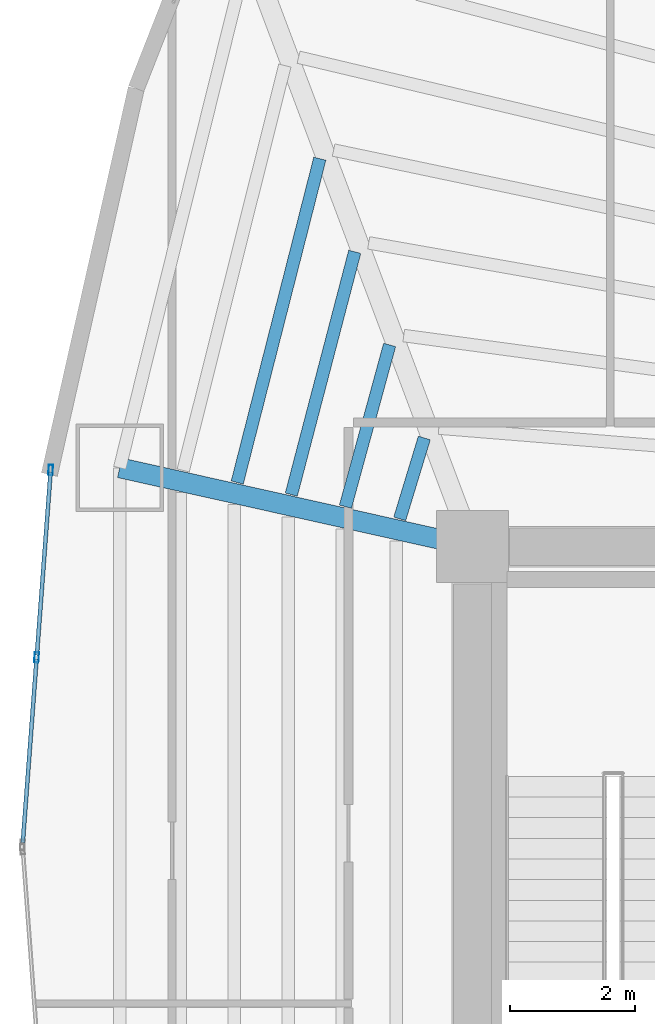
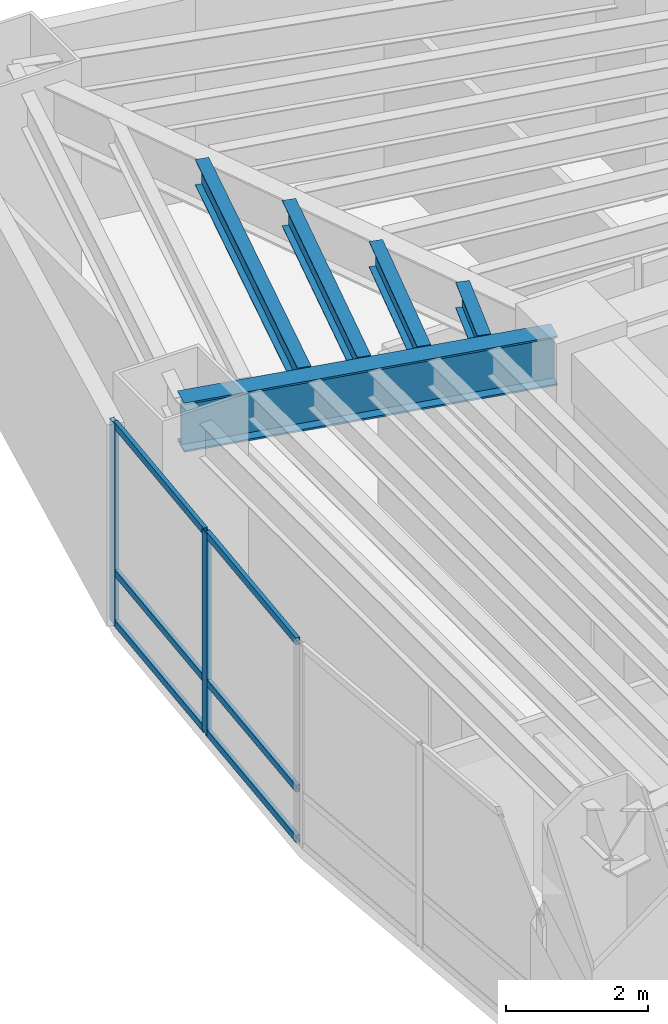
# One storey, part 7 of 17: 8 members, 5 beams, 1 element without a shape of its own.
"""IFC4 building model written with IfcOpenShell, lengths in metres."""

from ifc_helpers import new_model, si_unit, direction, frame, origin, origin_2d, place, context, subcontext, project, spatial, hollow_rectangle, i_section, extrude, material, layer, layer_set, material_profile, profile_set, type_object, element, aggregate, save


model = new_model("IFC4")

# Units and contexts
model_context = context("Model", 3, precision=1e-05, world=origin(), true_north=direction((0.0, 1.0)))
body_context = subcontext(model_context, "Body", "Model", "MODEL_VIEW")
ifc_project = project(units=[si_unit("LENGTHUNIT", "METRE"), si_unit("AREAUNIT", "SQUARE_METRE"), si_unit("VOLUMEUNIT", "CUBIC_METRE"), si_unit("PLANEANGLEUNIT", "RADIAN"), si_unit("MASSUNIT", "GRAM", prefix="KILO")], contexts=[model_context])

# Site, building, storey
site_placement = place(None, origin())
site = spatial("IfcSite", under=ifc_project, at=site_placement, CompositionType="ELEMENT")
building_placement = place(site_placement, origin())
building = spatial("IfcBuilding", under=site, at=building_placement, Name="Menara Vayukalpa", CompositionType="ELEMENT")
storey_placement = place(building_placement, frame((0.0, 0.0, 46.199951171875)))
storey = spatial("IfcBuildingStorey", under=building, at=storey_placement, Name="L10", CompositionType="ELEMENT", Elevation=46.199951171875)

# Beams
ifc_material_1 = material(Name="Steel S355", Category="steel")
ifc_material_profile_1 = material_profile(ifc_material_1, i_section(OverallWidth=0.320068359375, OverallDepth=0.85009765625, WebThickness=0.01611328125, FlangeThickness=0.030029296875, at=origin_2d()), Name="WF 850x320x16x30")
ifc_profile_set_1 = profile_set([ifc_material_profile_1], Name="Steel S355")
beam_type_1 = type_object("IfcBeamType", Name="BM-PG2", PredefinedType="BEAM", material=ifc_profile_set_1)
beam_1_placement = place(storey_placement, frame((17.555908203125, 26.8544921875, 3.045166015625), z_axis=(-0.975920137818, 0.218128138031, 0.0), x_axis=(-0.218128138031, -0.975920137818, 0.0)))
element("IfcBeam", 1, at=beam_1_placement, inside=storey, type_object=beam_type_1, Name="L10 Primary Radial Girder RG05", PredefinedType="BEAM", context=body_context, shape_type="SweptSolid", body=[
    extrude(i_section(OverallWidth=0.320068359375, OverallDepth=0.85009765625, WebThickness=0.01611328125, FlangeThickness=0.030029296875, at=origin_2d()), origin(), (0.0, 0.0, 1.0), 5.524658203125),
])
ifc_material_2 = material(Name="Steel S355", Category="steel")
ifc_material_profile_2 = material_profile(ifc_material_2, i_section(OverallWidth=0.199951171875, OverallDepth=0.449951171875, WebThickness=0.009033203125, FlangeThickness=0.013916015625, at=origin_2d()), Name="WF 450x200x9x14")
ifc_profile_set_2 = profile_set([ifc_material_profile_2], Name="Steel S355")
beam_type_2 = type_object("IfcBeamType", Name="BM-SJ1", PredefinedType="JOIST", material=ifc_profile_set_2)
beam_2_placement = place(storey_placement, frame((17.03076171875, 28.535888671875, 3.2451171875), z_axis=(-0.291010568606, -0.956719838281, 0.0), x_axis=(0.956719838281, -0.291010568606, 0.0)))
element("IfcBeam", 2, at=beam_2_placement, inside=storey, type_object=beam_type_2, Name="L10 Secondary Floor Joist SJ04-1", PredefinedType="JOIST", context=body_context, shape_type="SweptSolid", body=[
    extrude(i_section(OverallWidth=0.199951171875, OverallDepth=0.449951171875, WebThickness=0.009033203125, FlangeThickness=0.013916015625, at=origin_2d()), origin(), (0.0, 0.0, 1.0), 1.3505859375),
])
beam_3_placement = place(storey_placement, frame((16.4765625, 30.0224609375, 3.2451171875), z_axis=(-0.263618546233, -0.964627006714, 0.0), x_axis=(0.964627006714, -0.263618546233, 0.0)))
element("IfcBeam", 3, at=beam_3_placement, inside=storey, type_object=beam_type_2, Name="L10 Secondary Floor Joist SJ04-2", PredefinedType="JOIST", context=body_context, shape_type="SweptSolid", body=[
    extrude(i_section(OverallWidth=0.199951171875, OverallDepth=0.449951171875, WebThickness=0.009033203125, FlangeThickness=0.013916015625, at=origin_2d()), origin(), (0.0, 0.0, 1.0), 2.67919921875),
])
beam_4_placement = place(storey_placement, frame((15.919189453125, 31.510009765625, 3.2451171875), z_axis=(-0.25283833468, -0.967508540798, 0.0), x_axis=(0.967508540798, -0.25283833468, 0.0)))
element("IfcBeam", 4, at=beam_4_placement, inside=storey, type_object=beam_type_2, Name="L10 Secondary Floor Joist SJ04-3", PredefinedType="JOIST", context=body_context, shape_type="SweptSolid", body=[
    extrude(i_section(OverallWidth=0.199951171875, OverallDepth=0.449951171875, WebThickness=0.009033203125, FlangeThickness=0.013916015625, at=origin_2d()), origin(), (0.0, 0.0, 1.0), 4.00927734375),
])
beam_5_placement = place(storey_placement, frame((15.361328125, 32.997802734375, 3.2451171875), z_axis=(-0.247105572938, -0.968988563309, 0.0), x_axis=(0.968988563309, -0.247105572938, 0.0)))
element("IfcBeam", 5, at=beam_5_placement, inside=storey, type_object=beam_type_2, Name="L10 Secondary Floor Joist SJ04-4", PredefinedType="JOIST", context=body_context, shape_type="SweptSolid", body=[
    extrude(i_section(OverallWidth=0.199951171875, OverallDepth=0.449951171875, WebThickness=0.009033203125, FlangeThickness=0.013916015625, at=origin_2d()), origin(), (0.0, 0.0, 1.0), 5.339111328125),
])

# Curtain wall, members
ifc_material_3 = material(Name="Anodised Terracotta Aluminium Alloy 6063-T6", Category="masonry")
ifc_layer = layer(ifc_material_3, 0.1650390625)
ifc_layer_set = layer_set([ifc_layer], Name="Anodised Terracotta Aluminium Alloy 6063-T6")
curtain_wall_type = type_object("IfcCurtainWallType", Name="CW-CW2", PredefinedType="USERDEFINED", material=ifc_layer_set)
curtain_wall_placement = place(storey_placement, origin())
curtain_wall = element("IfcCurtainWall", 6, at=curtain_wall_placement, inside=storey, type_object=curtain_wall_type, Name="L10 Low Rise Terracotta Ribbon Curtain Wall CW2 10", ObjectType="UNITISED", PredefinedType="USERDEFINED")
ifc_material_4 = material(Name="Anodised Terracotta Aluminium Alloy 6063-T6", Category="masonry")
ifc_material_profile_3 = material_profile(ifc_material_4, hollow_rectangle(XDim=0.070068359375, YDim=0.1650390625, WallThickness=0.00390625, at=origin_2d()), Name="ALU 70x165x4")
ifc_profile_set_3 = profile_set([ifc_material_profile_3], Name="Anodised Terracotta Aluminium Alloy 6063-T6")
member_type_1 = type_object("IfcMemberType", Name="CWM-CW2", PredefinedType="MULLION", material=ifc_profile_set_3)
member_1_placement = place(storey_placement, frame((11.0615234375, 28.024658203125, 0.0), z_axis=(0.0, 0.0, 1.0), x_axis=(0.997198941676, -0.074794857576, 0.0)))
member_1 = element("IfcMember", 7, at=member_1_placement, type_object=member_type_1, Name="CW2 mullion 1", PredefinedType="MULLION", context=body_context, shape_type="SweptSolid", body=[
    extrude(hollow_rectangle(XDim=0.070068359375, YDim=0.1650390625, WallThickness=0.00390625, at=origin_2d()), origin(), (0.0, 0.0, 1.0), 3.469970703125),
])
member_2_placement = place(storey_placement, frame((10.8369140625, 25.02978515625, 0.0), z_axis=(0.0, 0.0, 1.0), x_axis=(0.997198941676, -0.074794857576, 0.0)))
member_2 = element("IfcMember", 8, at=member_2_placement, type_object=member_type_1, Name="CW2 mullion 2", PredefinedType="MULLION", context=body_context, shape_type="SweptSolid", body=[
    extrude(hollow_rectangle(XDim=0.070068359375, YDim=0.1650390625, WallThickness=0.00390625, at=origin_2d()), origin(), (0.0, 0.0, 1.0), 3.469970703125),
])
ifc_material_5 = material(Name="Anodised Terracotta Aluminium Alloy 6063-T6", Category="masonry")
ifc_material_profile_4 = material_profile(ifc_material_5, hollow_rectangle(XDim=0.06494140625, YDim=0.1201171875, WallThickness=0.00341796875, at=origin_2d()), Name="ALU 65x120x3.5")
ifc_profile_set_4 = profile_set([ifc_material_profile_4], Name="Anodised Terracotta Aluminium Alloy 6063-T6")
member_type_2 = type_object("IfcMemberType", Name="CWT-CW2", PredefinedType="USERDEFINED", material=ifc_profile_set_4)
member_3_placement = place(storey_placement, frame((11.05908203125, 27.98974609375, 0.032470703125), z_axis=(-0.074825123723, -0.997196671103, 0.0), x_axis=(0.997196671103, -0.074825123723, 0.0)))
member_3 = element("IfcMember", 9, at=member_3_placement, type_object=member_type_2, Name="CW2 transom 1.1", ObjectType="TRANSOM", PredefinedType="USERDEFINED", context=body_context, shape_type="SweptSolid", body=[
    extrude(hollow_rectangle(XDim=0.06494140625, YDim=0.1201171875, WallThickness=0.00341796875, at=origin_2d()), origin(), (0.0, 0.0, 1.0), 2.933349609375),
])
member_4_placement = place(storey_placement, frame((11.05908203125, 27.98974609375, 0.900146484375), z_axis=(-0.074825123723, -0.997196671103, 0.0), x_axis=(0.997196671103, -0.074825123723, 0.0)))
member_4 = element("IfcMember", 10, at=member_4_placement, type_object=member_type_2, Name="CW2 transom 1.2", ObjectType="TRANSOM", PredefinedType="USERDEFINED", context=body_context, shape_type="SweptSolid", body=[
    extrude(hollow_rectangle(XDim=0.06494140625, YDim=0.1201171875, WallThickness=0.00341796875, at=origin_2d()), origin(), (0.0, 0.0, 1.0), 2.933349609375),
])
member_5_placement = place(storey_placement, frame((11.05908203125, 27.98974609375, 3.4375), z_axis=(-0.074825123723, -0.997196671103, 0.0), x_axis=(0.997196671103, -0.074825123723, 0.0)))
member_5 = element("IfcMember", 11, at=member_5_placement, type_object=member_type_2, Name="CW2 transom 1.3", ObjectType="TRANSOM", PredefinedType="USERDEFINED", context=body_context, shape_type="SweptSolid", body=[
    extrude(hollow_rectangle(XDim=0.06494140625, YDim=0.1201171875, WallThickness=0.00341796875, at=origin_2d()), origin(), (0.0, 0.0, 1.0), 2.933349609375),
])
member_6_placement = place(storey_placement, frame((10.834228515625, 24.994873046875, 0.032470703125), z_axis=(-0.074742357441, -0.997202878057, 0.0), x_axis=(0.997202878057, -0.074742357441, 0.0)))
member_6 = element("IfcMember", 12, at=member_6_placement, type_object=member_type_2, Name="CW2 transom 2.1", ObjectType="TRANSOM", PredefinedType="USERDEFINED", context=body_context, shape_type="SweptSolid", body=[
    extrude(hollow_rectangle(XDim=0.06494140625, YDim=0.1201171875, WallThickness=0.00341796875, at=origin_2d()), origin(), (0.0, 0.0, 1.0), 2.933349609375),
])
member_7_placement = place(storey_placement, frame((10.834228515625, 24.994873046875, 0.900146484375), z_axis=(-0.074742357441, -0.997202878057, 0.0), x_axis=(0.997202878057, -0.074742357441, 0.0)))
member_7 = element("IfcMember", 13, at=member_7_placement, type_object=member_type_2, Name="CW2 transom 2.2", ObjectType="TRANSOM", PredefinedType="USERDEFINED", context=body_context, shape_type="SweptSolid", body=[
    extrude(hollow_rectangle(XDim=0.06494140625, YDim=0.1201171875, WallThickness=0.00341796875, at=origin_2d()), origin(), (0.0, 0.0, 1.0), 2.933349609375),
])
member_8_placement = place(storey_placement, frame((10.834228515625, 24.994873046875, 3.4375), z_axis=(-0.074742357441, -0.997202878057, 0.0), x_axis=(0.997202878057, -0.074742357441, 0.0)))
member_8 = element("IfcMember", 14, at=member_8_placement, type_object=member_type_2, Name="CW2 transom 2.3", ObjectType="TRANSOM", PredefinedType="USERDEFINED", context=body_context, shape_type="SweptSolid", body=[
    extrude(hollow_rectangle(XDim=0.06494140625, YDim=0.1201171875, WallThickness=0.00341796875, at=origin_2d()), origin(), (0.0, 0.0, 1.0), 2.933349609375),
])
aggregate(curtain_wall, [member_1, member_2, member_3, member_4, member_5, member_6, member_7, member_8])

save(model, "model.ifc")
